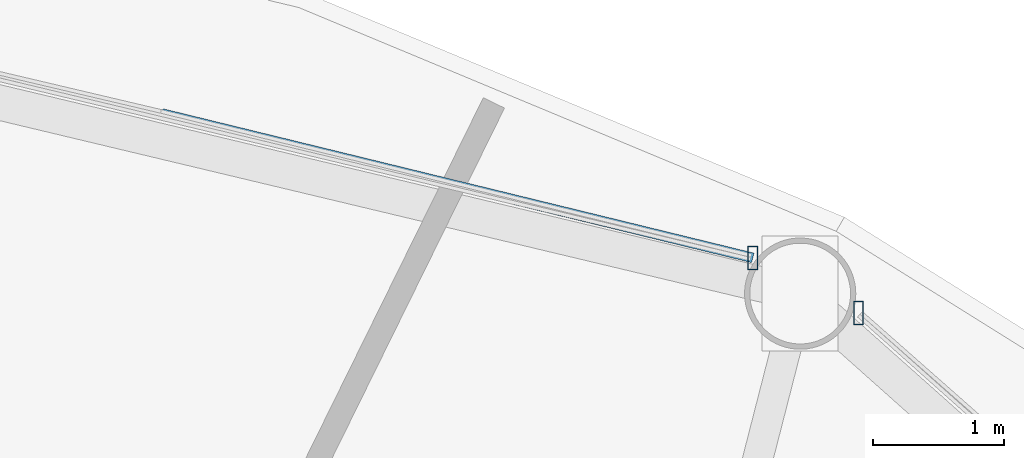
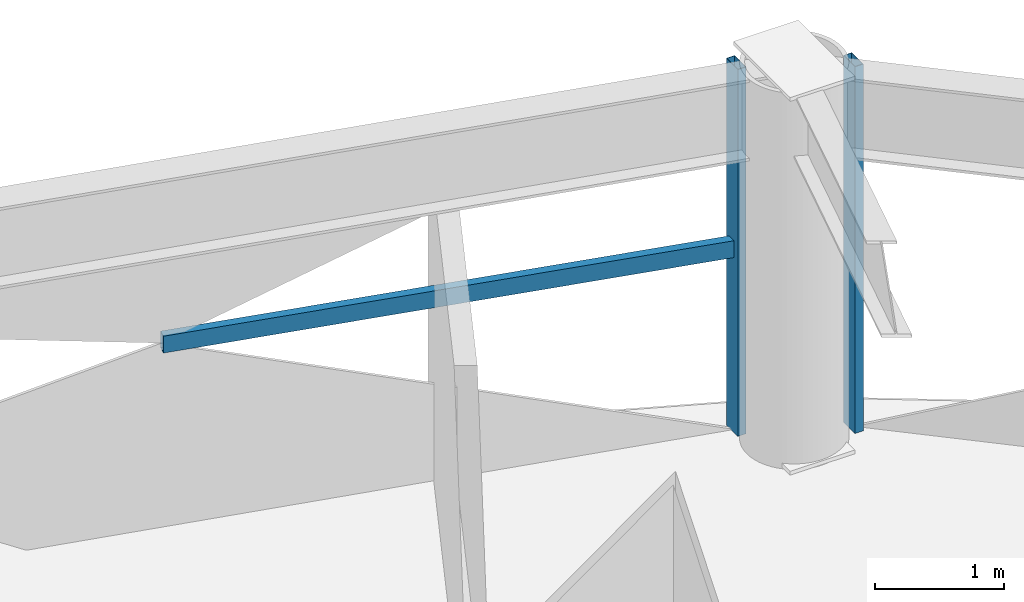
# One storey, part 21 of 31: 3 members, 2 elements without a shape of their own.
"""IFC4 building model written with IfcOpenShell, lengths in metres."""

from ifc_helpers import new_model, si_unit, direction, frame, origin, origin_2d, place, context, subcontext, project, spatial, hollow_rectangle, extrude, material, layer, layer_set, material_profile, profile_set, type_object, element, aggregate, save


model = new_model("IFC4")

# Units and contexts
model_context = context("Model", 3, precision=1e-05, world=origin(), true_north=direction((0.0, 1.0)))
body_context = subcontext(model_context, "Body", "Model", "MODEL_VIEW")
ifc_project = project(units=[si_unit("LENGTHUNIT", "METRE"), si_unit("AREAUNIT", "SQUARE_METRE"), si_unit("VOLUMEUNIT", "CUBIC_METRE"), si_unit("PLANEANGLEUNIT", "RADIAN"), si_unit("MASSUNIT", "GRAM", prefix="KILO")], contexts=[model_context])

# Site, building, storey
site_placement = place(None, origin())
site = spatial("IfcSite", under=ifc_project, at=site_placement, CompositionType="ELEMENT")
building_placement = place(site_placement, origin())
building = spatial("IfcBuilding", under=site, at=building_placement, Name="Vantalir Tower", CompositionType="ELEMENT")
storey_placement = place(building_placement, frame((0.0, 0.0, 30.75)))
storey = spatial("IfcBuildingStorey", under=building, at=storey_placement, Name="L06", CompositionType="ELEMENT", Elevation=30.75)

# Curtain wall, member
ifc_material_1 = material(Name="Champagne-silver PVDF aluminium and double-silver Low-E glass", Category="aluminium")
ifc_layer = layer(ifc_material_1, 0.18994140625)
ifc_layer_set = layer_set([ifc_layer], Name="Champagne-silver PVDF aluminium and double-silver Low-E glass")
curtain_wall_type = type_object("IfcCurtainWallType", Name="CW-DIAMOND-Z1", PredefinedType="USERDEFINED", material=ifc_layer_set)
curtain_wall_1_placement = place(storey_placement, origin())
curtain_wall_1 = element("IfcCurtainWall", 1, at=curtain_wall_1_placement, inside=storey, type_object=curtain_wall_type, Name="L06 Quilted Pyramid-Diamond Curtain Wall S02", ObjectType="UNITISED CURTAIN WALL", PredefinedType="USERDEFINED")
ifc_material_2 = material(Name="Champagne-silver PVDF aluminium 6063-T6", Category="aluminium")
ifc_material_profile_1 = material_profile(ifc_material_2, hollow_rectangle(XDim=0.074951171875, YDim=0.179931640625, WallThickness=0.00390625, at=origin_2d()), Name="Champagne-silver PVDF aluminium 6063-T6")
ifc_profile_set_1 = profile_set([ifc_material_profile_1], Name="Champagne-silver PVDF aluminium 6063-T6")
member_type_1 = type_object("IfcMemberType", Name="CWM-180x75", PredefinedType="MULLION", material=ifc_profile_set_1)
member_1_placement = place(storey_placement, frame((44.6708984375, 44.47900390625, 0.044921875), z_axis=(0.0, 0.0, 1.0), x_axis=(1.0, 0.0, 0.0)))
member_1 = element("IfcMember", 2, at=member_1_placement, type_object=member_type_1, Name="CW-L06-S02 Mullion 2", PredefinedType="MULLION", context=body_context, shape_type="SweptSolid", body=[
    extrude(hollow_rectangle(XDim=0.074951171875, YDim=0.179931640625, WallThickness=0.00390625, at=origin_2d()), origin(), (0.0, 0.0, 1.0), 3.47998046875),
])
aggregate(curtain_wall_1, [member_1])

# Curtain wall, members
curtain_wall_2_placement = place(storey_placement, origin())
curtain_wall_2 = element("IfcCurtainWall", 3, at=curtain_wall_2_placement, inside=storey, type_object=curtain_wall_type, Name="L06 Quilted Pyramid-Diamond Curtain Wall S03", ObjectType="UNITISED CURTAIN WALL", PredefinedType="USERDEFINED")
member_2_placement = place(storey_placement, frame((43.863037109375, 44.90087890625, 0.044921875), z_axis=(0.0, 0.0, 1.0), x_axis=(1.0, 0.0, 0.0)))
member_2 = element("IfcMember", 4, at=member_2_placement, type_object=member_type_1, Name="CW-L06-S03 Mullion 1", PredefinedType="MULLION", context=body_context, shape_type="SweptSolid", body=[
    extrude(hollow_rectangle(XDim=0.074951171875, YDim=0.179931640625, WallThickness=0.00390625, at=origin_2d()), origin(), (0.0, 0.0, 1.0), 3.47998046875),
])
ifc_material_profile_2 = material_profile(ifc_material_2, hollow_rectangle(XDim=0.074951171875, YDim=0.159912109375, WallThickness=0.00390625, at=origin_2d()), Name="Champagne-silver PVDF aluminium 6063-T6")
ifc_profile_set_2 = profile_set([ifc_material_profile_2], Name="Champagne-silver PVDF aluminium 6063-T6")
member_type_2 = type_object("IfcMemberType", Name="CWT-160x75", PredefinedType="USERDEFINED", material=ifc_profile_set_2)
member_3_placement = place(storey_placement, frame((43.863037109375, 44.90087890625, 1.784912109375), z_axis=(-0.971444212501, 0.237268080445, 0.0), x_axis=(-0.237268080445, -0.971444212501, 0.0)))
member_3 = element("IfcMember", 5, at=member_3_placement, type_object=member_type_2, Name="CW-L06-S03 Pyramid Fold Ridge Transom", ObjectType="TRANSOM", PredefinedType="USERDEFINED", context=body_context, shape_type="SweptSolid", body=[
    extrude(hollow_rectangle(XDim=0.074951171875, YDim=0.159912109375, WallThickness=0.00390625, at=origin_2d()), origin(), (0.0, 0.0, 1.0), 4.64892578125),
])
aggregate(curtain_wall_2, [member_2, member_3])

save(model, "model.ifc")
